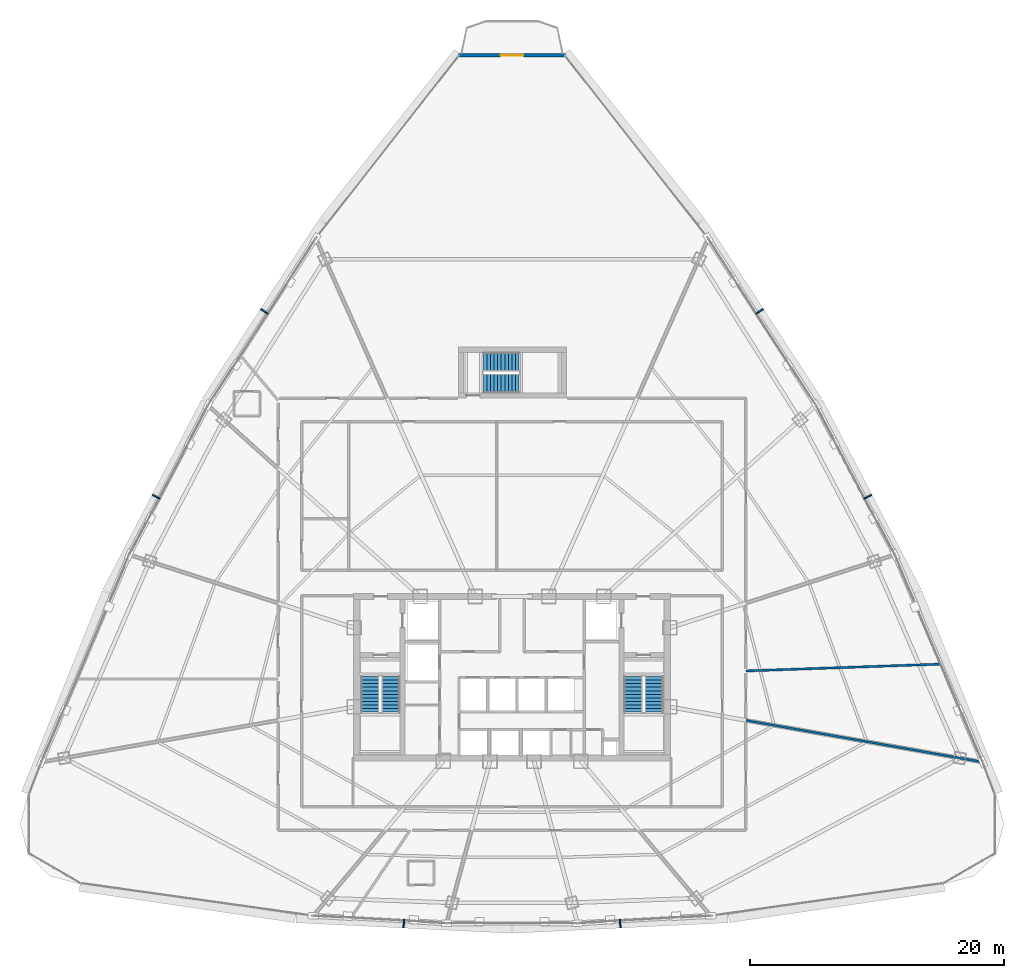
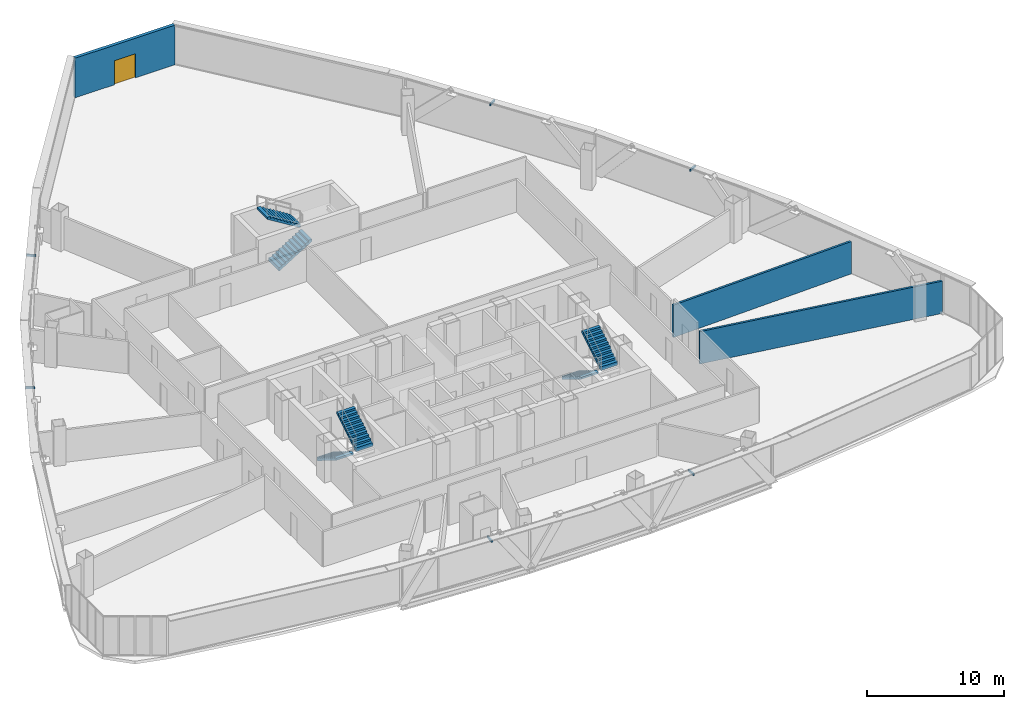
# One storey, part 33 of 37: 6 discrete accessories, 6 stair flights, 3 walls, 1 door, 1 opening, 3 elements without a shape of their own.
"""IFC4 building model written with IfcOpenShell, lengths in metres."""

import ifcopenshell
import ifcopenshell.guid

model = None  # the IFC model being written
_history = None  # IfcOwnerHistory: only IFC2X3 demands one
_inside = {}  # id of a spatial element -> (the spatial element, [elements in it])
_under = {}  # id of a project, library or spatial element -> (it, [spatial elements below it])
_declared = {}  # id of a project -> (the project, [libraries it declares])
_typed = {}  # id of a type object -> (the type object, [elements of that type])
_made_of = {}  # id of a material, layer set ... -> (it, [elements and type objects made of it])


def new_model(schema):
    """Start an empty IFC model of exactly this schema.

    Asked for "IFC4X3", IfcOpenShell would pick the latest addendum, in which some entities
    have other attributes; the version numbers below select the first issue.
    IFC2X3 requires an IfcOwnerHistory on every rooted entity: one is made here for all.
    """
    global model, _history
    if schema == "IFC4X3":
        model = ifcopenshell.file(schema_version=(4, 3, 0, 0))
    else:
        model = ifcopenshell.file(schema=schema)
    _inside.clear()
    _under.clear()
    _declared.clear()
    _typed.clear()
    _made_of.clear()
    _history = None
    if model.schema == "IFC2X3":
        org = make("IfcOrganization", Name="unknown")
        user = make(
            "IfcPersonAndOrganization",
            ThePerson=make("IfcPerson", FamilyName="unknown"),
            TheOrganization=org,
        )
        app = make(
            "IfcApplication",
            ApplicationDeveloper=org,
            Version="unknown",
            ApplicationFullName="unknown",
            ApplicationIdentifier="unknown",
        )
        _history = make(
            "IfcOwnerHistory",
            OwningUser=user,
            OwningApplication=app,
            ChangeAction="ADDED",
            CreationDate=0,
        )
    return model


def make(cls, **values):
    """One entity of the class cls with the attributes given. An attribute that is None is left unset."""
    return model.create_entity(
        cls, **{name: value for name, value in values.items() if value is not None}
    )


def rooted(cls, **values):
    """An entity with a GlobalId (a new one), such as an element, a storey or a relation."""
    return make(cls, GlobalId=ifcopenshell.guid.new(), OwnerHistory=_history, **values)


def si_unit(unit_type, name, prefix=None):
    """IfcSIUnit, for example si_unit("LENGTHUNIT", "METRE", prefix="MILLI")."""
    return make("IfcSIUnit", UnitType=unit_type, Prefix=prefix, Name=name)


def assignment(units):
    """IfcUnitAssignment: the units of a project."""
    return None if units is None else make("IfcUnitAssignment", Units=units)


def point(xyz):
    """IfcCartesianPoint."""
    return None if xyz is None else make("IfcCartesianPoint", Coordinates=xyz)


def direction(xyz):
    """IfcDirection."""
    return None if xyz is None else make("IfcDirection", DirectionRatios=xyz)


def frame(location, z_axis=None, x_axis=None):
    """IfcAxis2Placement3D, a coordinate frame: its origin and axes. An axis left out is left unset."""
    return make(
        "IfcAxis2Placement3D",
        Location=point(location),
        Axis=direction(z_axis),
        RefDirection=direction(x_axis),
    )


def frame_2d(location, x_axis=None):
    """IfcAxis2Placement2D, a coordinate frame in the plane: its origin and x axis."""
    return make(
        "IfcAxis2Placement2D", Location=point(location), RefDirection=direction(x_axis)
    )


def origin():
    """The frame at (0, 0, 0) with its axes left unset."""
    return frame((0.0, 0.0, 0.0))


def origin_with_axes():
    """The frame at (0, 0, 0) with the z axis (0, 0, 1) and the x axis (1, 0, 0) written out."""
    return frame((0.0, 0.0, 0.0), z_axis=(0.0, 0.0, 1.0), x_axis=(1.0, 0.0, 0.0))


def origin_2d():
    """The frame at (0, 0) in the plane with its x axis left unset."""
    return frame_2d((0.0, 0.0))


def place(relative_to, where):
    """IfcLocalPlacement: puts the frame where relative to a parent placement (None: the world)."""
    return make(
        "IfcLocalPlacement", PlacementRelTo=relative_to, RelativePlacement=where
    )


def context(
    kind, dimensions, precision=None, world=None, true_north=None, identifier=None
):
    """IfcGeometricRepresentationContext, for example the 3D "Model" context."""
    return make(
        "IfcGeometricRepresentationContext",
        ContextIdentifier=identifier,
        ContextType=kind,
        CoordinateSpaceDimension=dimensions,
        Precision=precision,
        WorldCoordinateSystem=world,
        TrueNorth=true_north,
    )


def subcontext(parent, identifier, kind, view, scale=None):
    """IfcGeometricRepresentationSubContext, for example "Body" below "Model"."""
    return make(
        "IfcGeometricRepresentationSubContext",
        ContextIdentifier=identifier,
        ContextType=kind,
        ParentContext=parent,
        TargetScale=scale,
        TargetView=view,
    )


def project(units=None, contexts=None):
    """IfcProject with its units and contexts."""
    return rooted(
        "IfcProject",
        Name="project",
        RepresentationContexts=contexts,
        UnitsInContext=assignment(units),
    )


def spatial(cls, under=None, at=None, **own):
    """A site, building, storey or space (cls), placed at a placement, below another one or the project."""
    s = rooted(cls, ObjectPlacement=at, **own)
    if under is not None:
        _under.setdefault(under.id(), (under, []))[1].append(s)
    return s


def polyline(points):
    """IfcPolyline through the points."""
    return make("IfcPolyline", Points=[point(p) for p in points])


def profile(cls, at=None, kind="AREA", **sizes):
    """A parametric profile (cls). Its sizes go by their IFC names, for example OverallWidth=200.0."""
    return make(cls, ProfileType=kind, Position=at, **sizes)


def rectangle(**sizes):
    """IfcRectangleProfileDef."""
    return profile("IfcRectangleProfileDef", **sizes)


def outline(outer, holes=None, kind="AREA"):
    """IfcArbitraryClosedProfileDef: a profile drawn as a closed curve; with holes, ...WithVoids."""
    if holes is None:
        return make("IfcArbitraryClosedProfileDef", ProfileType=kind, OuterCurve=outer)
    return make(
        "IfcArbitraryProfileDefWithVoids",
        ProfileType=kind,
        OuterCurve=outer,
        InnerCurves=holes,
    )


def extrude(swept, where, along, depth):
    """IfcExtrudedAreaSolid: the profile swept, set in the frame where, extruded along a direction by depth."""
    return make(
        "IfcExtrudedAreaSolid",
        SweptArea=swept,
        Position=where,
        ExtrudedDirection=direction(along),
        Depth=depth,
    )


def shape(context_of_items, identifier, shape_type, items):
    """IfcShapeRepresentation: the items that make up one representation, for example the "Body"."""
    return make(
        "IfcShapeRepresentation",
        ContextOfItems=context_of_items,
        RepresentationIdentifier=identifier,
        RepresentationType=shape_type,
        Items=items,
    )


def source(mapping_origin, context_of_items, identifier, shape_type, items):
    """IfcRepresentationMap: a shape defined once, which mapped items show again and again."""
    return make(
        "IfcRepresentationMap",
        MappingOrigin=mapping_origin,
        MappedRepresentation=shape(context_of_items, identifier, shape_type, items),
    )


def transform(
    local_origin,
    x_axis=None,
    y_axis=None,
    z_axis=None,
    scale=None,
    scale2=None,
    scale3=None,
    uniform=True,
):
    """IfcCartesianTransformationOperator3D, or its non-uniform kind. x_axis, y_axis, z_axis: its Axis1, 2, 3."""
    if uniform:
        return make(
            "IfcCartesianTransformationOperator3D",
            Axis1=direction(x_axis),
            Axis2=direction(y_axis),
            LocalOrigin=point(local_origin),
            Scale=scale,
            Axis3=direction(z_axis),
        )
    return make(
        "IfcCartesianTransformationOperator3DnonUniform",
        Axis1=direction(x_axis),
        Axis2=direction(y_axis),
        LocalOrigin=point(local_origin),
        Scale=scale,
        Axis3=direction(z_axis),
        Scale2=scale2,
        Scale3=scale3,
    )


def mapped(mapping_source, mapping_target):
    """IfcMappedItem: shows the shape of a source again, moved by a transform."""
    return make(
        "IfcMappedItem", MappingSource=mapping_source, MappingTarget=mapping_target
    )


def material(Name=None, Category=None):
    """IfcMaterial."""
    return make("IfcMaterial", Name=Name, Category=Category)


def layer(
    of_material, thickness, ventilated=None, Name=None, Category=None, Priority=None
):
    """IfcMaterialLayer: one layer of a wall or slab, of a material (None: an air gap)."""
    return make(
        "IfcMaterialLayer",
        Material=of_material,
        LayerThickness=thickness,
        IsVentilated=ventilated,
        Name=Name,
        Category=Category,
        Priority=Priority,
    )


def layer_set(layers, Name=None):
    """IfcMaterialLayerSet."""
    return make("IfcMaterialLayerSet", MaterialLayers=layers, LayerSetName=Name)


def made_of(thing, what):
    """Note that an element or type object is made of a material, layer set ...; save() writes the relation."""
    if what is not None:
        _made_of.setdefault(what.id(), (what, []))[1].append(thing)
    return thing


def type_object(cls, material=None, **own):
    """A type object (cls), such as IfcWallType, which elements share."""
    return made_of(rooted(cls, **own), material)


def element(
    cls,
    number,
    at=None,
    inside=None,
    cuts=None,
    type_object=None,
    material=None,
    context=None,
    identifier="Body",
    shape_type=None,
    held_by="IfcProductDefinitionShape",
    body=None,
    shapes=None,
    **own,
):
    """One element of the class cls, such as IfcWall. Its Tag is "e" and its number.

    at: its placement. inside: the storey or other place that contains it. cuts: it is an
    opening in that element (IfcRelVoidsElement). A single representation is given by context,
    identifier, shape_type and body (its items); several are given by shapes. held_by: the class
    of the entity that holds the representations. save() writes the other relations.
    """
    e = rooted(cls, Tag="e%d" % number, ObjectPlacement=at, **own)
    if body is not None:
        shapes = [shape(context, identifier, shape_type, body)]
    if shapes is not None:
        e.Representation = make(held_by, Representations=shapes)
    if inside is not None:
        _inside.setdefault(inside.id(), (inside, []))[1].append(e)
    if cuts is not None:
        rooted(
            "IfcRelVoidsElement", RelatingBuildingElement=cuts, RelatedOpeningElement=e
        )
    if type_object is not None:
        _typed.setdefault(type_object.id(), (type_object, []))[1].append(e)
    return made_of(e, material)


def fill(opening, filler):
    """IfcRelFillsElement: the door or window that sits in an opening."""
    return rooted(
        "IfcRelFillsElement",
        RelatingOpeningElement=opening,
        RelatedBuildingElement=filler,
    )


def aggregate(whole, parts):
    """IfcRelAggregates: a whole, such as a stair, and the parts it consists of."""
    return rooted("IfcRelAggregates", RelatingObject=whole, RelatedObjects=parts)


def save(model, path):
    """Write the relations noted so far, then the file.

    IfcRelAggregates (storeys below a building ...), IfcRelContainedInSpatialStructure (elements
    in a storey), IfcRelDefinesByType, IfcRelAssociatesMaterial and IfcRelDeclares: one each for
    every whole, place, type object, material and project.
    """
    for whole, parts in _under.values():
        aggregate(whole, parts)
    for where, things in _inside.values():
        rooted(
            "IfcRelContainedInSpatialStructure",
            RelatedElements=things,
            RelatingStructure=where,
        )
    for kind, things in _typed.values():
        rooted("IfcRelDefinesByType", RelatedObjects=things, RelatingType=kind)
    for what, things in _made_of.values():
        rooted("IfcRelAssociatesMaterial", RelatedObjects=things, RelatingMaterial=what)
    for by, libraries in _declared.values():
        rooted("IfcRelDeclares", RelatingContext=by, RelatedDefinitions=libraries)
    model.write(path)


model = new_model("IFC4")

# Units and contexts
model_context = context("Model", 3, precision=1e-05, world=origin(), true_north=direction((0.0, 1.0)))
body_context = subcontext(model_context, "Body", "Model", "MODEL_VIEW")
ifc_project = project(units=[si_unit("LENGTHUNIT", "METRE"), si_unit("AREAUNIT", "SQUARE_METRE"), si_unit("VOLUMEUNIT", "CUBIC_METRE"), si_unit("PLANEANGLEUNIT", "RADIAN"), si_unit("MASSUNIT", "GRAM", prefix="KILO"), si_unit("THERMODYNAMICTEMPERATUREUNIT", "KELVIN"), si_unit("POWERUNIT", "WATT")], contexts=[model_context])

# Site, building, storey
site_placement = place(None, origin())
site = spatial("IfcSite", under=ifc_project, at=site_placement, CompositionType="ELEMENT")
building_placement = place(site_placement, origin())
building = spatial("IfcBuilding", under=site, at=building_placement, Name="Yunzhuo Pagoda Commons", CompositionType="ELEMENT")
storey_placement = place(building_placement, frame((0.0, 0.0, 207.56005859375)))
storey = spatial("IfcBuildingStorey", under=building, at=storey_placement, Name="L52", CompositionType="ELEMENT", Elevation=207.56005859375)

# Wall, opening, door
ifc_material_1 = material(Name="Precast concrete C40", Category="concrete")
ifc_layer_1 = layer(ifc_material_1, 0.260009765625)
ifc_layer_set_1 = layer_set([ifc_layer_1], Name="Precast concrete C40")
wall_type_1 = type_object("IfcWallType", Name="W-BAL1 Corner Balcony Threshold Wall 260", PredefinedType="STANDARD", material=ifc_layer_set_1)
wall_1_placement = place(storey_placement, frame((52.209716796875, 82.75244140625, 0.0), z_axis=(0.0, 0.0, 1.0), x_axis=(-1.0, 0.0, 0.0)))
wall_1 = element("IfcWall", 1, at=wall_1_placement, inside=storey, type_object=wall_type_1, Name="L52 corner balcony wall V3", PredefinedType="STANDARD", context=body_context, shape_type="SweptSolid", body=[
    extrude(rectangle(XDim=8.41943359375, YDim=0.260009765625, at=frame_2d((4.209716796875, 0.0))), origin(), (0.0, 0.0, 1.0), 3.5400390625),
])
opening_placement = place(wall_1_placement, frame((3.309814453125, 0.0, 0.0)))
opening = element("IfcOpeningElement", 2, at=opening_placement, cuts=wall_1, Name="Opening D-BAL1", PredefinedType="OPENING", context=body_context, shape_type="SweptSolid", body=[
    extrude(rectangle(XDim=1.800048828125, YDim=2.14990234375, at=frame_2d((0.89990234375, 1.074951171875))), frame((0.0, 0.14013671875, 0.0), z_axis=(0.0, -1.0, 0.0), x_axis=(1.0, 0.0, 0.0)), (0.0, 0.0, 1.0), 0.280029296875),
])
ifc_material_2 = material(Name="Anodized aluminium frame and tempered glazed leaf", Category="aluminium")
door_type = type_object("IfcDoorType", Name="D-BAL1 Corner Balcony Sliding Glazed Door 1800x2150", OperationType="DOUBLE_DOOR_SLIDING", PredefinedType="DOOR", material=ifc_material_2)
shared_shape_1 = source(origin(), body_context, "Body", "SweptSolid", [
    extrude(rectangle(XDim=1.800048828125, YDim=2.14990234375, at=frame_2d((0.89990234375, 1.074951171875))), frame((0.0, 0.02490234375, 0.0), z_axis=(0.0, -1.0, 0.0), x_axis=(1.0, 0.0, 0.0)), (0.0, 0.0, 1.0), 0.050048828125),
])
door_placement = place(opening_placement, origin_with_axes())
door = element("IfcDoor", 3, at=door_placement, inside=storey, type_object=door_type, Name="L52 corner balcony sliding door V3", OperationType="DOUBLE_DOOR_SLIDING", OverallHeight=2.14990234375, OverallWidth=1.800048828125, PredefinedType="DOOR", context=body_context, shape_type="MappedRepresentation", body=[
    mapped(shared_shape_1, transform((0.0, 0.0, 0.0), scale=1.0)),
])
fill(opening, door)

# Walls
ifc_material_3 = material(Name="Gypsum plasterboard on acoustic stud")
ifc_layer_2 = layer(ifc_material_3, 0.175048828125)
ifc_layer_set_2 = layer_set([ifc_layer_2], Name="Gypsum plasterboard on acoustic stud")
wall_type_2 = type_object("IfcWallType", Name="W-PRT3 Mid-Zone Demising Wall 175", PredefinedType="PARTITIONING", material=ifc_layer_set_2)
wall_2_placement = place(storey_placement, frame((66.39990234375, 34.342529296875, 0.0), z_axis=(0.0, 0.0, 1.0), x_axis=(0.999390706755, 0.034902940442, 0.0)))
element("IfcWall", 4, at=wall_2_placement, inside=storey, type_object=wall_type_2, Name="L52 interior wall IW-L52-RAD01", PredefinedType="PARTITIONING", context=body_context, shape_type="SweptSolid", body=[
    extrude(rectangle(XDim=15.360595703125, YDim=0.175048828125, at=frame_2d((7.68017578125, 0.0))), origin(), (0.0, 0.0, 1.0), 2.889892578125),
])
wall_3_placement = place(storey_placement, frame((66.39990234375, 30.45556640625, 0.0), z_axis=(0.0, 0.0, 1.0), x_axis=(0.984807864876, -0.173647543254, 0.0)))
element("IfcWall", 5, at=wall_3_placement, inside=storey, type_object=wall_type_2, Name="L52 interior wall IW-L52-RAD14", PredefinedType="PARTITIONING", context=body_context, shape_type="SweptSolid", body=[
    extrude(rectangle(XDim=18.901611328125, YDim=0.175048828125, at=frame_2d((9.45068359375, 0.0))), origin(), (0.0, 0.0, 1.0), 2.889892578125),
])

# Stair, stair flights
ifc_material_4 = material(Name="Concrete C40", Category="concrete")
stair_type_1 = type_object("IfcStairType", Name="ST-C1 Core Smokeproof Stair ST1", PredefinedType="HALF_TURN_STAIR", material=ifc_material_4)
stair_1_placement = place(storey_placement, origin())
stair_1 = element("IfcStair", 6, at=stair_1_placement, inside=storey, type_object=stair_type_1, Name="L52 Core smokeproof stair ST1", PredefinedType="HALF_TURN_STAIR")
stair_flight_type_1 = type_object("IfcStairFlightType", Name="STF-C1 Core Stair Flight 1450", PredefinedType="STRAIGHT", material=ifc_material_4)
shared_shape_2 = source(origin(), body_context, "Body", "SweptSolid", [
    extrude(outline(polyline([(0.0, -0.14990234375), (0.0, 0.0), (0.0, 0.172607421875), (0.280029296875, 0.172607421875), (0.280029296875, 0.345458984375), (0.56005859375, 0.345458984375), (0.56005859375, 0.51806640625), (0.840087890625, 0.51806640625), (0.840087890625, 0.69091796875), (1.1201171875, 0.69091796875), (1.1201171875, 0.863525390625), (1.39990234375, 0.863525390625), (1.39990234375, 1.036376953125), (1.679931640625, 1.036376953125), (1.679931640625, 1.208984375), (1.9599609375, 1.208984375), (1.9599609375, 1.3818359375), (2.239990234375, 1.3818359375), (2.239990234375, 1.554443359375), (2.52001953125, 1.554443359375), (2.52001953125, 1.727294921875), (2.800048828125, 1.727294921875), (2.800048828125, 1.89990234375), (2.800048828125, 1.551025390625), (0.285400390625, 0.0), (0.050048828125, -0.14990234375), (0.0, -0.14990234375)])), frame((0.0, 0.72509765625, 0.0), z_axis=(0.0, -1.0, 0.0), x_axis=(1.0, 0.0, 0.0)), (0.0, 0.0, 1.0), 1.449951171875),
])
stair_flight_1_placement = place(storey_placement, frame((36.824951171875, 33.89990234375, 0.0), z_axis=(0.0, 0.0, 1.0), x_axis=(0.0, -1.0, 0.0)))
stair_flight_1 = element("IfcStairFlight", 7, at=stair_flight_1_placement, type_object=stair_flight_type_1, Name="ST1 flight 1", NumberOfRisers=11, NumberOfTreads=10, PredefinedType="STRAIGHT", RiserHeight=0.172727273, TreadLength=0.28, context=body_context, shape_type="MappedRepresentation", body=[
    mapped(shared_shape_2, transform((0.0, 0.0, 0.0), scale=1.0)),
])
stair_flight_2_placement = place(storey_placement, frame((38.47509765625, 31.10009765625, 1.89990234375), z_axis=(0.0, 0.0, 1.0), x_axis=(0.0, 1.0, 0.0)))
stair_flight_2 = element("IfcStairFlight", 8, at=stair_flight_2_placement, type_object=stair_flight_type_1, Name="ST1 flight 2", NumberOfRisers=11, NumberOfTreads=10, PredefinedType="STRAIGHT", RiserHeight=0.172727273, TreadLength=0.28, context=body_context, shape_type="MappedRepresentation", body=[
    mapped(shared_shape_2, transform((0.0, 0.0, 0.0), scale=1.0)),
])
aggregate(stair_1, [stair_flight_1, stair_flight_2])

stair_type_2 = type_object("IfcStairType", Name="ST-C2 Core Smokeproof Stair ST2", PredefinedType="HALF_TURN_STAIR", material=ifc_material_4)
stair_2_placement = place(storey_placement, origin())
stair_2 = element("IfcStair", 9, at=stair_2_placement, inside=storey, type_object=stair_type_2, Name="L52 Core smokeproof stair ST2", PredefinedType="HALF_TURN_STAIR")
stair_flight_type_2 = type_object("IfcStairFlightType", Name="STF-C2 Core Stair Flight 1460", PredefinedType="STRAIGHT", material=ifc_material_4)
stair_flight_3_placement = place(storey_placement, frame((57.52490234375, 33.89990234375, 0.0), z_axis=(0.0, 0.0, 1.0), x_axis=(0.0, -1.0, 0.0)))
stair_flight_3 = element("IfcStairFlight", 10, at=stair_flight_3_placement, type_object=stair_flight_type_2, Name="ST2 flight 1", NumberOfRisers=11, NumberOfTreads=10, PredefinedType="STRAIGHT", RiserHeight=0.172727273, TreadLength=0.28, context=body_context, shape_type="MappedRepresentation", body=[
    mapped(shared_shape_2, transform((0.0, 0.0, 0.0), scale=1.0)),
])
stair_flight_4_placement = place(storey_placement, frame((59.175048828125, 31.10009765625, 1.89990234375), z_axis=(0.0, 0.0, 1.0), x_axis=(0.0, 1.0, 0.0)))
stair_flight_4 = element("IfcStairFlight", 11, at=stair_flight_4_placement, type_object=stair_flight_type_2, Name="ST2 flight 2", NumberOfRisers=11, NumberOfTreads=10, PredefinedType="STRAIGHT", RiserHeight=0.172727273, TreadLength=0.28, context=body_context, shape_type="MappedRepresentation", body=[
    mapped(shared_shape_2, transform((0.0, 0.0, 0.0), scale=1.0)),
])
aggregate(stair_2, [stair_flight_3, stair_flight_4])

stair_type_3 = type_object("IfcStairType", Name="ST-C3 North Tower Smokeproof Stair ST3", PredefinedType="HALF_TURN_STAIR", material=ifc_material_4)
stair_3_placement = place(storey_placement, origin())
stair_3 = element("IfcStair", 12, at=stair_3_placement, inside=storey, type_object=stair_type_3, Name="L52 North tower smokeproof stair ST3", PredefinedType="HALF_TURN_STAIR")
stair_flight_type_3 = type_object("IfcStairFlightType", Name="STF-C3 North Stair Flight 1500", PredefinedType="STRAIGHT", material=ifc_material_4)
shared_shape_3 = source(origin(), body_context, "Body", "SweptSolid", [
    extrude(outline(polyline([(0.0, -0.14990234375), (0.0, 0.0), (0.0, 0.172607421875), (0.280029296875, 0.172607421875), (0.280029296875, 0.345458984375), (0.56005859375, 0.345458984375), (0.56005859375, 0.51806640625), (0.840087890625, 0.51806640625), (0.840087890625, 0.69091796875), (1.1201171875, 0.69091796875), (1.1201171875, 0.863525390625), (1.39990234375, 0.863525390625), (1.39990234375, 1.036376953125), (1.679931640625, 1.036376953125), (1.679931640625, 1.208984375), (1.9599609375, 1.208984375), (1.9599609375, 1.3818359375), (2.239990234375, 1.3818359375), (2.239990234375, 1.554443359375), (2.52001953125, 1.554443359375), (2.52001953125, 1.727294921875), (2.800048828125, 1.727294921875), (2.800048828125, 1.89990234375), (2.800048828125, 1.551025390625), (0.285400390625, 0.0), (0.050048828125, -0.14990234375), (0.0, -0.14990234375)])), frame((0.0, 0.75, 0.0), z_axis=(0.0, -1.0, 0.0), x_axis=(1.0, 0.0, 0.0)), (0.0, 0.0, 1.0), 1.5),
])
stair_flight_5_placement = place(storey_placement, frame((45.75, 56.949951171875, 0.0), z_axis=(0.0, 0.0, 1.0), x_axis=(1.0, 0.0, 0.0)))
stair_flight_5 = element("IfcStairFlight", 13, at=stair_flight_5_placement, type_object=stair_flight_type_3, Name="ST3 flight 1", NumberOfRisers=11, NumberOfTreads=10, PredefinedType="STRAIGHT", RiserHeight=0.172727273, TreadLength=0.28, context=body_context, shape_type="MappedRepresentation", body=[
    mapped(shared_shape_3, transform((0.0, 0.0, 0.0), scale=1.0)),
])
stair_flight_6_placement = place(storey_placement, frame((48.550048828125, 58.64990234375, 1.89990234375), z_axis=(0.0, 0.0, 1.0), x_axis=(-1.0, 0.0, 0.0)))
stair_flight_6 = element("IfcStairFlight", 14, at=stair_flight_6_placement, type_object=stair_flight_type_3, Name="ST3 flight 2", NumberOfRisers=11, NumberOfTreads=10, PredefinedType="STRAIGHT", RiserHeight=0.172727273, TreadLength=0.28, context=body_context, shape_type="MappedRepresentation", body=[
    mapped(shared_shape_3, transform((0.0, 0.0, 0.0), scale=1.0)),
])
aggregate(stair_3, [stair_flight_5, stair_flight_6])

# Discrete accessories
ifc_material_5 = material(Name="Anodized aluminium 6063-T6", Category="aluminium")
discrete_accessory_type = type_object("IfcDiscreteAccessoryType", Name="BK-SUN1 Sunshade Outrigger Bracket", PredefinedType="BRACKET", material=ifc_material_5)
shared_shape_4 = source(origin(), body_context, "Body", "SweptSolid", [
    extrude(rectangle(XDim=0.1201171875, YDim=0.679931640625, at=origin_2d()), origin(), (0.0, 0.0, 1.0), 0.179931640625),
])
for number, where, z_axis, x_axis, name in (
    (15, (39.49267578125, 14.48828125, 3.330078125), (0.0, 0.0, 1.0), (0.998818043775, -0.04860571396, 0.0), "L52 sunshade outrigger bracket F1.2"),
    (16, (56.50732421875, 14.48828125, 3.330078125), (0.0, 0.0, 1.0), (0.998818043775, 0.04860571396, 0.0), "L52 sunshade outrigger bracket F1.3"),
    (17, (75.981201171875, 48.04052734375, 3.330078125), (0.0, 0.0, 1.0), (-0.461206683033, 0.88729273384, 0.0), "L52 sunshade outrigger bracket F2.2"),
    (18, (67.4736328125, 62.614990234375, 3.330078125), (0.0, 0.0, 1.0), (-0.545838756973, 0.837890238269, 0.0), "L52 sunshade outrigger bracket F2.3"),
    (19, (28.5263671875, 62.614990234375, 3.330078125), (0.0, 0.0, 1.0), (-0.545838756973, -0.837890238269, 0.0), "L52 sunshade outrigger bracket F3.2"),
    (20, (20.018798828125, 48.04052734375, 3.330078125), (0.0, 0.0, 1.0), (-0.461206683033, -0.88729273384, 0.0), "L52 sunshade outrigger bracket F3.3"),
):
    element("IfcDiscreteAccessory", number, at=place(storey_placement, frame(where, z_axis=z_axis, x_axis=x_axis)), inside=storey, type_object=discrete_accessory_type, Name=name, PredefinedType="BRACKET", context=body_context, shape_type="MappedRepresentation", body=[
        mapped(shared_shape_4, transform((0.0, 0.0, 0.0), scale=1.0)),
    ])

save(model, "model.ifc")
